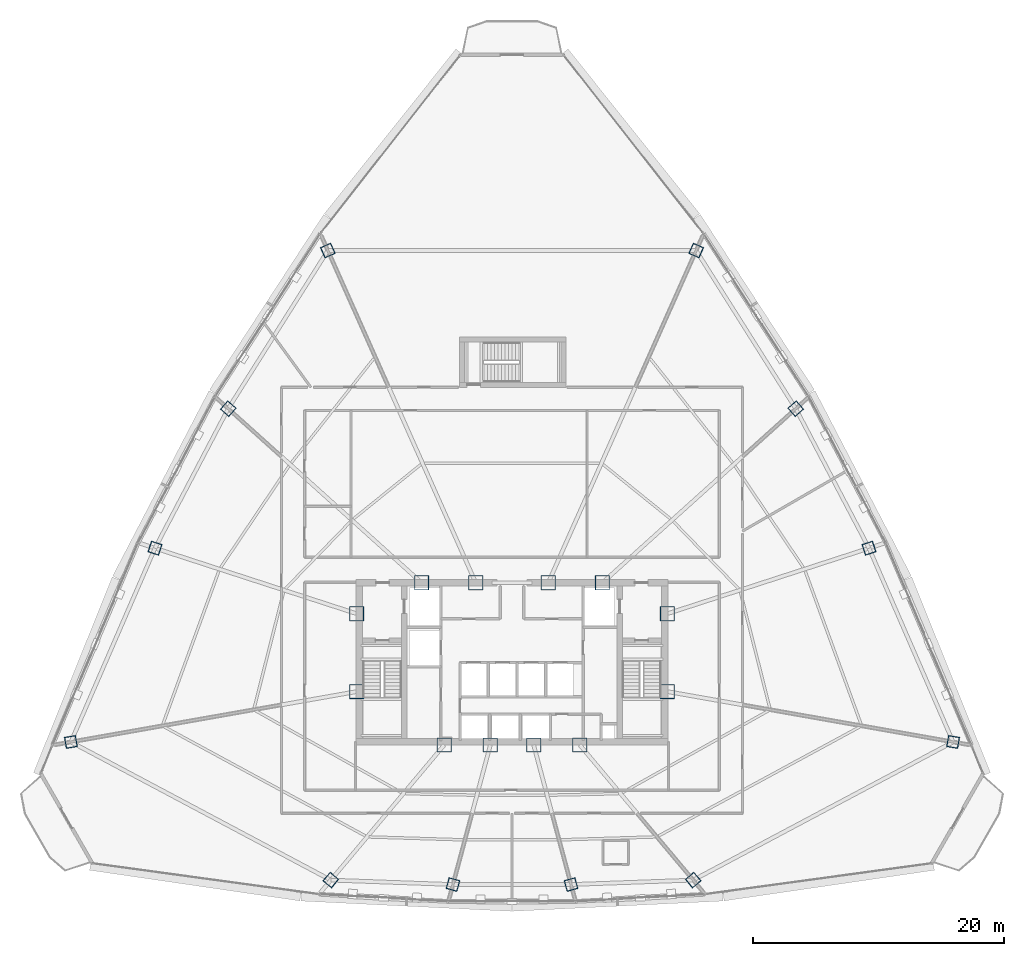
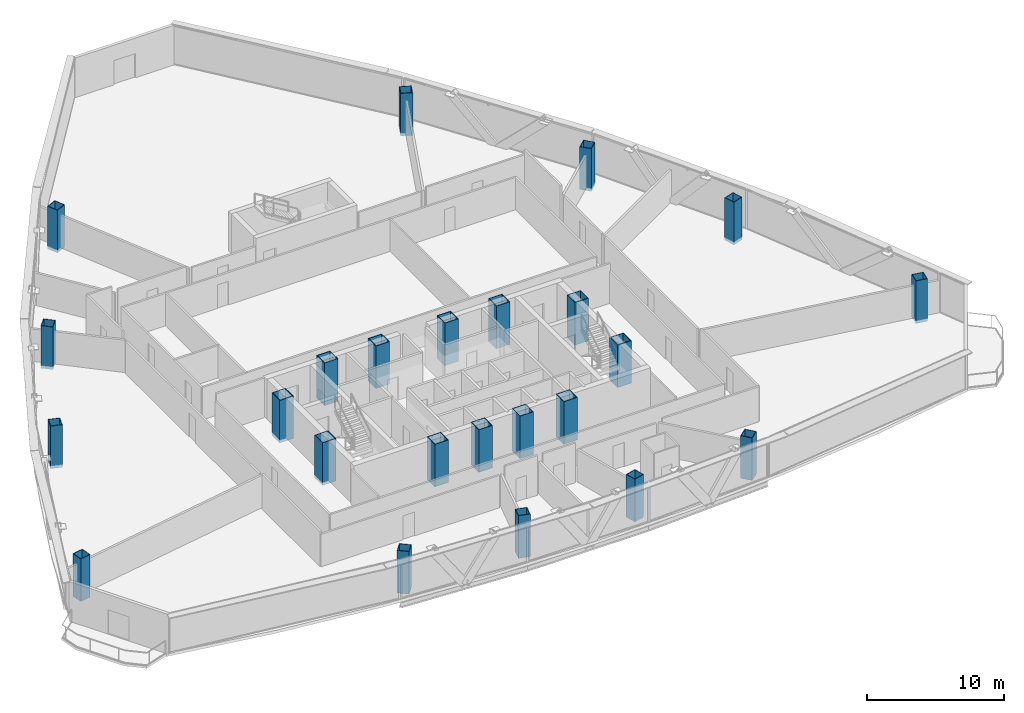
# One storey, part 1 of 36: 24 columns.
"""IFC4 building model written with IfcOpenShell, lengths in metres."""

from ifc_helpers import new_model, si_unit, direction, frame, origin, origin_2d, place, context, subcontext, project, spatial, hollow_rectangle, extrude, source, transform, mapped, material, material_profile, profile_set, type_object, element, save


model = new_model("IFC4")

# Units and contexts
model_context = context("Model", 3, precision=1e-05, world=origin(), true_north=direction((0.0, 1.0)))
body_context = subcontext(model_context, "Body", "Model", "MODEL_VIEW")
ifc_project = project(units=[si_unit("LENGTHUNIT", "METRE"), si_unit("AREAUNIT", "SQUARE_METRE"), si_unit("VOLUMEUNIT", "CUBIC_METRE"), si_unit("PLANEANGLEUNIT", "RADIAN"), si_unit("MASSUNIT", "GRAM", prefix="KILO"), si_unit("THERMODYNAMICTEMPERATUREUNIT", "KELVIN"), si_unit("POWERUNIT", "WATT")], contexts=[model_context])

# Site, building, storey
site_placement = place(None, origin())
site = spatial("IfcSite", under=ifc_project, at=site_placement, CompositionType="ELEMENT")
building_placement = place(site_placement, origin())
building = spatial("IfcBuilding", under=site, at=building_placement, Name="Yunzhuo Pagoda Commons", CompositionType="ELEMENT")
storey_placement = place(building_placement, frame((0.0, 0.0, 215.159912109375)))
storey = spatial("IfcBuildingStorey", under=building, at=storey_placement, Name="L54", CompositionType="ELEMENT", Elevation=215.159912109375)

# Columns
ifc_material = material(Name="Structural steel Q420B", Category="steel")
ifc_material_profile_1 = material_profile(ifc_material, hollow_rectangle(XDim=1.14990234375, YDim=1.14990234375, WallThickness=0.048095703125, at=origin_2d()), Name="Structural steel Q420B")
ifc_profile_set_1 = profile_set([ifc_material_profile_1], Name="Structural steel Q420B")
column_type_1 = type_object("IfcColumnType", Name="C-COR Column BOX 1150x1150x48", PredefinedType="COLUMN", material=ifc_profile_set_1)
shared_shape_1 = source(origin(), body_context, "Body", "SweptSolid", [
    extrude(hollow_rectangle(XDim=1.14990234375, YDim=1.14990234375, WallThickness=0.048095703125, at=origin_2d()), origin(), (0.0, 0.0, 1.0), 3.780029296875),
])
for number, where, z_axis, x_axis, name in (
    (1, (42.587890625, 27.25, -0.260009765625), (0.0, 0.0, 1.0), (1.0, 0.0, 0.0), "L54 core composite column F1C1"),
    (2, (46.27197265625, 27.25, -0.260009765625), (0.0, 0.0, 1.0), (1.0, 0.0, 0.0), "L54 core composite column F1C2"),
    (3, (49.728515625, 27.25, -0.260009765625), (0.0, 0.0, 1.0), (1.0, 0.0, 0.0), "L54 core composite column F1C3"),
    (4, (53.412109375, 27.25, -0.260009765625), (0.0, 0.0, 1.0), (1.0, 0.0, 0.0), "L54 core composite column F1C4"),
    (5, (60.39990234375, 31.513427734375, -0.260009765625), (0.0, 0.0, 1.0), (1.0, 0.0, 0.0), "L54 core composite column F2C1"),
    (6, (60.39990234375, 37.72900390625, -0.260009765625), (0.0, 0.0, 1.0), (1.0, 0.0, 0.0), "L54 core composite column F2C2"),
    (7, (55.218994140625, 40.199951171875, -0.260009765625), (0.0, 0.0, 1.0), (1.0, 0.0, 0.0), "L54 core composite column F2C3"),
    (8, (50.89404296875, 40.199951171875, -0.260009765625), (0.0, 0.0, 1.0), (1.0, 0.0, 0.0), "L54 core composite column F2C4"),
    (9, (45.10595703125, 40.199951171875, -0.260009765625), (0.0, 0.0, 1.0), (1.0, 0.0, 0.0), "L54 core composite column F3C1"),
    (10, (40.781005859375, 40.199951171875, -0.260009765625), (0.0, 0.0, 1.0), (1.0, 0.0, 0.0), "L54 core composite column F3C2"),
    (11, (35.60009765625, 37.72900390625, -0.260009765625), (0.0, 0.0, 1.0), (1.0, 0.0, 0.0), "L54 core composite column F3C3"),
    (12, (35.60009765625, 31.513427734375, -0.260009765625), (0.0, 0.0, 1.0), (1.0, 0.0, 0.0), "L54 core composite column F3C4"),
):
    element("IfcColumn", number, at=place(storey_placement, frame(where, z_axis=z_axis, x_axis=x_axis)), inside=storey, type_object=column_type_1, Name=name, PredefinedType="COLUMN", context=body_context, shape_type="MappedRepresentation", body=[
        mapped(shared_shape_1, transform((0.0, 0.0, 0.0), scale=1.0)),
    ])
ifc_material_profile_2 = material_profile(ifc_material, hollow_rectangle(XDim=0.89990234375, YDim=0.89990234375, WallThickness=0.035888671875, at=origin_2d()), Name="Structural steel Q420B")
ifc_profile_set_2 = profile_set([ifc_material_profile_2], Name="Structural steel Q420B")
column_type_2 = type_object("IfcColumnType", Name="C-Z4 Column BOX 900x900x36", PredefinedType="COLUMN", material=ifc_profile_set_2)
shared_shape_2 = source(origin(), body_context, "Body", "SweptSolid", [
    extrude(hollow_rectangle(XDim=0.89990234375, YDim=0.89990234375, WallThickness=0.035888671875, at=origin_2d()), origin(), (0.0, 0.0, 1.0), 3.780029296875),
])
for number, where, z_axis, x_axis, name in (
    (13, (33.538818359375, 16.4658203125, -0.260009765625), (0.0, 0.0, 1.0), (0.766044443119, -0.642787609687, 0.0), "L54 tower column F1C1"),
    (14, (43.28759765625, 16.1123046875, -0.260009765625), (0.0, 0.0, 1.0), (0.965925826289, -0.258819045103, 0.0), "L54 tower column F1C2"),
    (15, (52.712890625, 16.1123046875, -0.260009765625), (0.0, 0.0, 1.0), (0.965925826289, 0.258819045103, 0.0), "L54 tower column F1C3"),
    (16, (62.461181640625, 16.4658203125, -0.260009765625), (0.0, 0.0, 1.0), (0.766044443119, 0.642787609687, 0.0), "L54 tower column F1C4"),
    (17, (83.20654296875, 27.492431640625, -0.260009765625), (0.0, 0.0, 1.0), (0.173648177667, 0.984807753012, 0.0), "L54 tower column F2C1"),
    (18, (76.49462890625, 42.95849609375, -0.260009765625), (0.0, 0.0, 1.0), (-0.309016994375, 0.951056516295, 0.0), "L54 tower column F2C2"),
    (19, (70.650634765625, 54.0947265625, -0.260009765625), (0.0, 0.0, 1.0), (-0.669130606359, 0.743144825477, 0.0), "L54 tower column F2C3"),
    (20, (62.698974609375, 66.714599609375, -0.260009765625), (0.0, 0.0, 1.0), (-0.913545457643, 0.406736643076, 0.0), "L54 tower column F2C4"),
    (21, (33.301025390625, 66.714599609375, -0.260009765625), (0.0, 0.0, 1.0), (-0.913545457643, -0.406736643076, 0.0), "L54 tower column F3C1"),
    (22, (25.349365234375, 54.0947265625, -0.260009765625), (0.0, 0.0, 1.0), (-0.669130606359, -0.743144825477, 0.0), "L54 tower column F3C2"),
    (23, (19.50537109375, 42.95849609375, -0.260009765625), (0.0, 0.0, 1.0), (-0.309016994375, -0.951056516295, 0.0), "L54 tower column F3C3"),
    (24, (12.79345703125, 27.492431640625, -0.260009765625), (0.0, 0.0, 1.0), (0.173648177667, -0.984807753012, 0.0), "L54 tower column F3C4"),
):
    element("IfcColumn", number, at=place(storey_placement, frame(where, z_axis=z_axis, x_axis=x_axis)), inside=storey, type_object=column_type_2, Name=name, PredefinedType="COLUMN", context=body_context, shape_type="MappedRepresentation", body=[
        mapped(shared_shape_2, transform((0.0, 0.0, 0.0), scale=1.0)),
    ])

save(model, "model.ifc")
